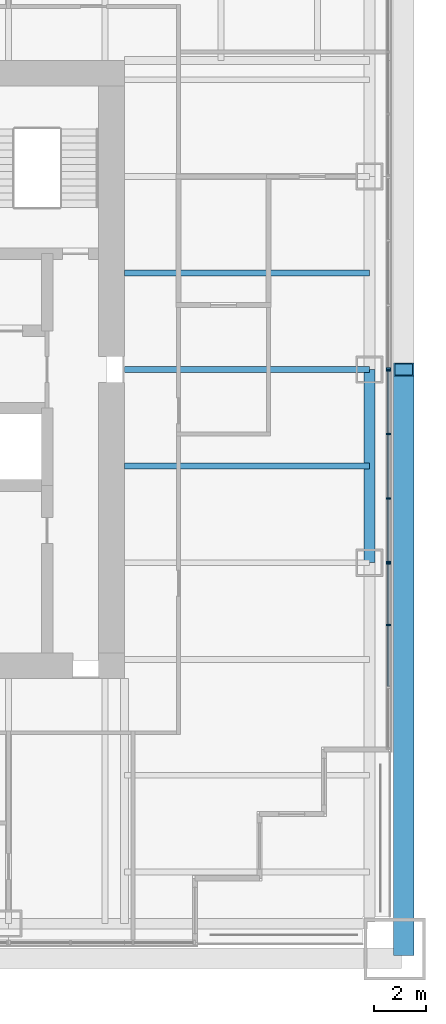
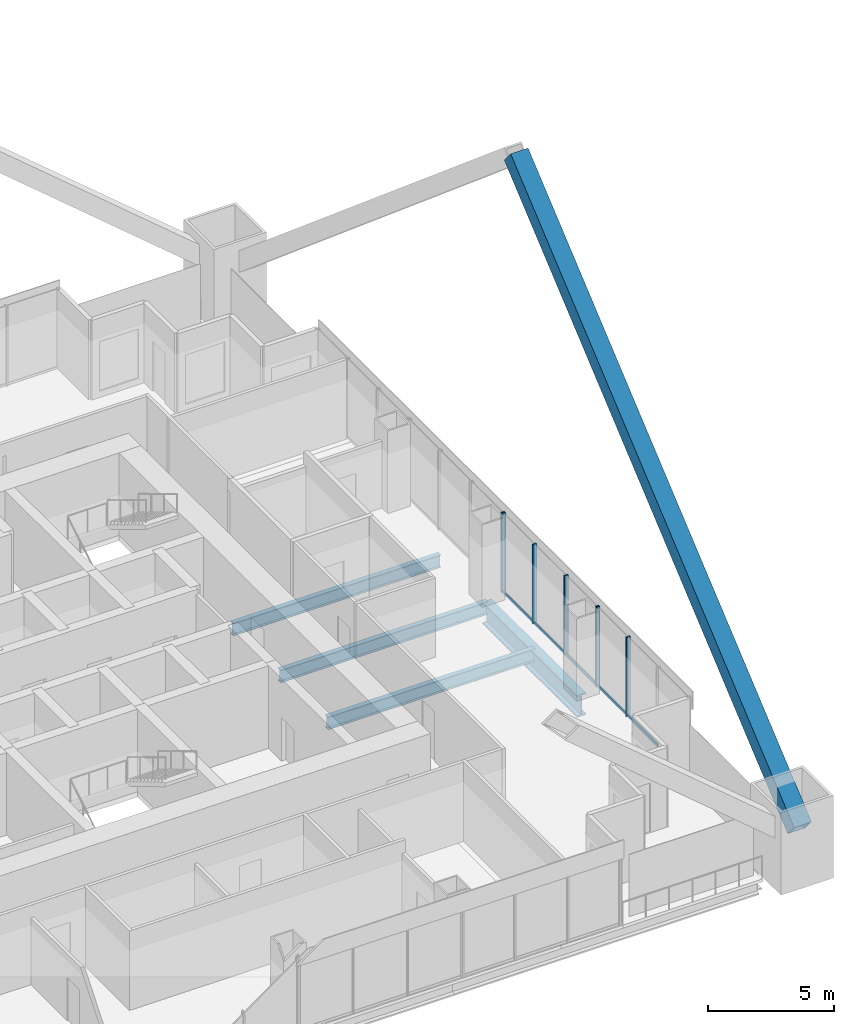
# One storey, part 7 of 19: 13 members, 4 beams, 3 elements without a shape of their own.
"""IFC4 building model written with IfcOpenShell, lengths in metres."""

from ifc_helpers import new_model, si_unit, direction, frame, origin, origin_2d, place, context, subcontext, project, spatial, rectangle, hollow_rectangle, i_section, extrude, material, material_profile, profile_set, type_object, element, aggregate, save


model = new_model("IFC4")

# Units and contexts
model_context = context("Model", 3, precision=1e-05, world=origin(), true_north=direction((0.0, 1.0)))
body_context = subcontext(model_context, "Body", "Model", "MODEL_VIEW")
ifc_project = project(units=[si_unit("LENGTHUNIT", "METRE"), si_unit("AREAUNIT", "SQUARE_METRE"), si_unit("VOLUMEUNIT", "CUBIC_METRE"), si_unit("PLANEANGLEUNIT", "RADIAN"), si_unit("MASSUNIT", "GRAM", prefix="KILO")], contexts=[model_context])

# Site, building, storey
site_placement = place(None, origin())
site = spatial("IfcSite", under=ifc_project, at=site_placement, CompositionType="ELEMENT")
building_placement = place(site_placement, origin())
building = spatial("IfcBuilding", under=site, at=building_placement, Name="Tarangal Relay Tower", CompositionType="ELEMENT")
storey_placement = place(building_placement, frame((0.0, 0.0, 213.89990234375)))
storey = spatial("IfcBuildingStorey", under=building, at=storey_placement, Name="L45", CompositionType="ELEMENT", Elevation=213.89990234375)

# Beams
ifc_material_1 = material(Name="Steel ASTM A992", Category="steel")
ifc_material_profile_1 = material_profile(ifc_material_1, i_section(OverallWidth=0.41650390625, OverallDepth=1.0693359375, WebThickness=0.0390625, FlangeThickness=0.070068359375, at=origin_2d()), Name="W40X503")
ifc_profile_set_1 = profile_set([ifc_material_profile_1], Name="Steel ASTM A992")
beam_type_1 = type_object("IfcBeamType", Name="Edge girder W40X503", PredefinedType="SPANDREL", material=ifc_profile_set_1)
beam_placement = place(storey_placement, frame((21.514892578125, 0.0, -0.6845703125), z_axis=(0.0, -1.0, 0.0), x_axis=(1.0, 0.0, 0.0)))
element("IfcBeam", 1, at=beam_placement, inside=storey, type_object=beam_type_1, Name="Edge girder EG8 E L45", PredefinedType="SPANDREL", context=body_context, shape_type="SweptSolid", body=[
    extrude(i_section(OverallWidth=0.41650390625, OverallDepth=1.0693359375, WebThickness=0.0390625, FlangeThickness=0.070068359375, at=origin_2d()), origin(), (0.0, 0.0, 1.0), 7.5),
])
ifc_material_profile_2 = material_profile(ifc_material_1, i_section(OverallWidth=0.22900390625, OverallDepth=0.612060546875, WebThickness=0.011962890625, FlangeThickness=0.01953125, at=origin_2d()), Name="W24X84")
ifc_profile_set_2 = profile_set([ifc_material_profile_2], Name="Steel ASTM A992")
beam_type_2 = type_object("IfcBeamType", Name="Floor beam W24X84", PredefinedType="BEAM", material=ifc_profile_set_2)
for number, where, z_axis, x_axis, name in (
    (2, (12.0, 3.75, -0.455810546875), (1.0, 0.0, 0.0), (0.0, 1.0, 0.0), "Floor beam RB12 E L45"),
    (3, (12.0, 0.0, -0.455810546875), (1.0, 0.0, 0.0), (0.0, 1.0, 0.0), "Floor beam RB12 E L45"),
    (4, (12.0, -3.75, -0.455810546875), (1.0, 0.0, 0.0), (0.0, 1.0, 0.0), "Floor beam RB12 E L45"),
):
    element("IfcBeam", number, at=place(storey_placement, frame(where, z_axis=z_axis, x_axis=x_axis)), inside=storey, type_object=beam_type_2, Name=name, PredefinedType="BEAM", context=body_context, shape_type="SweptSolid", body=[
        extrude(i_section(OverallWidth=0.22900390625, OverallDepth=0.612060546875, WebThickness=0.011962890625, FlangeThickness=0.01953125, at=origin_2d()), origin(), (0.0, 0.0, 1.0), 9.514892578125),
    ])

# Member
ifc_material_2 = material(Name="Steel ASTM A572 Grade 50", Category="steel")
ifc_material_profile_3 = material_profile(ifc_material_2, hollow_rectangle(XDim=0.800048828125, YDim=0.800048828125, WallThickness=0.06494140625, at=origin_2d()), Name="BOX800X800X65")
ifc_profile_set_3 = profile_set([ifc_material_profile_3], Name="Steel ASTM A572 Grade 50")
member_type_1 = type_object("IfcMemberType", Name="Mega brace BOX800X800X65", PredefinedType="BRACE", material=ifc_profile_set_3)
member_1_placement = place(storey_placement, frame((22.85009765625, -22.5, 2.0), z_axis=(0.0, 0.764029915847, 0.645180817826), x_axis=(-1.0, 0.0, 0.0)))
element("IfcMember", 5, at=member_1_placement, inside=storey, type_object=member_type_1, Name="Mega brace MB3 E face module 2", PredefinedType="BRACE", context=body_context, shape_type="SweptSolid", body=[
    extrude(hollow_rectangle(XDim=0.800048828125, YDim=0.800048828125, WallThickness=0.06494140625, at=origin_2d()), origin(), (0.0, 0.0, 1.0), 29.44921875),
])

# Curtain wall, member
ifc_material_3 = material(Name="Unitised curtain wall, dark glass and black aluminium", Category="aluminium")
curtain_wall_type = type_object("IfcCurtainWallType", Name="Curtain wall CW-A", PredefinedType="USERDEFINED", material=ifc_material_3)
curtain_wall_1_placement = place(storey_placement, origin())
curtain_wall_1 = element("IfcCurtainWall", 6, at=curtain_wall_1_placement, inside=storey, type_object=curtain_wall_type, Name="Curtain wall CW-A E facade L45", ObjectType="UNITISED CURTAIN WALL", PredefinedType="USERDEFINED")
ifc_material_4 = material(Name="Black anodised aluminium mullion", Category="aluminium")
ifc_material_profile_4 = material_profile(ifc_material_4, rectangle(XDim=0.175048828125, YDim=0.06494140625, at=origin_2d()), Name="CW-AM 65X175")
ifc_profile_set_4 = profile_set([ifc_material_profile_4], Name="Black anodised aluminium mullion")
member_type_2 = type_object("IfcMemberType", Name="Mullion CW-A 65 x 175", PredefinedType="MULLION", material=ifc_profile_set_4)
member_2_placement = place(storey_placement, frame((22.25, 0.032470703125, 0.0), z_axis=(0.0, 0.0, 1.0), x_axis=(1.0, 0.0, 0.0)))
member_2 = element("IfcMember", 7, at=member_2_placement, type_object=member_type_2, Name="CW-A mullion 4", PredefinedType="MULLION", context=body_context, shape_type="SweptSolid", body=[
    extrude(rectangle(XDim=0.175048828125, YDim=0.06494140625, at=origin_2d()), origin(), (0.0, 0.0, 1.0), 3.85009765625),
])
aggregate(curtain_wall_1, [member_2])

# Curtain wall, members
curtain_wall_2_placement = place(storey_placement, origin())
curtain_wall_2 = element("IfcCurtainWall", 8, at=curtain_wall_2_placement, inside=storey, type_object=curtain_wall_type, Name="Curtain wall CW-A E facade L45", ObjectType="UNITISED CURTAIN WALL", PredefinedType="USERDEFINED")
member_3_placement = place(storey_placement, frame((22.25, -0.032470703125, 0.0), z_axis=(0.0, 0.0, 1.0), x_axis=(1.0, 0.0, 0.0)))
member_3 = element("IfcMember", 9, at=member_3_placement, type_object=member_type_2, Name="CW-A mullion 1", PredefinedType="MULLION", context=body_context, shape_type="SweptSolid", body=[
    extrude(rectangle(XDim=0.175048828125, YDim=0.06494140625, at=origin_2d()), origin(), (0.0, 0.0, 1.0), 3.85009765625),
])
member_4_placement = place(storey_placement, frame((22.25, -2.5, 0.0), z_axis=(0.0, 0.0, 1.0), x_axis=(1.0, 0.0, 0.0)))
member_4 = element("IfcMember", 10, at=member_4_placement, type_object=member_type_2, Name="CW-A mullion 2", PredefinedType="MULLION", context=body_context, shape_type="SweptSolid", body=[
    extrude(rectangle(XDim=0.175048828125, YDim=0.06494140625, at=origin_2d()), origin(), (0.0, 0.0, 1.0), 3.85009765625),
])
member_5_placement = place(storey_placement, frame((22.25, -5.0, 0.0), z_axis=(0.0, 0.0, 1.0), x_axis=(1.0, 0.0, 0.0)))
member_5 = element("IfcMember", 11, at=member_5_placement, type_object=member_type_2, Name="CW-A mullion 3", PredefinedType="MULLION", context=body_context, shape_type="SweptSolid", body=[
    extrude(rectangle(XDim=0.175048828125, YDim=0.06494140625, at=origin_2d()), origin(), (0.0, 0.0, 1.0), 3.85009765625),
])
member_6_placement = place(storey_placement, frame((22.25, -7.467529296875, 0.0), z_axis=(0.0, 0.0, 1.0), x_axis=(1.0, 0.0, 0.0)))
member_6 = element("IfcMember", 12, at=member_6_placement, type_object=member_type_2, Name="CW-A mullion 4", PredefinedType="MULLION", context=body_context, shape_type="SweptSolid", body=[
    extrude(rectangle(XDim=0.175048828125, YDim=0.06494140625, at=origin_2d()), origin(), (0.0, 0.0, 1.0), 3.85009765625),
])

curtain_wall_3_placement = place(storey_placement, origin())
curtain_wall_3 = element("IfcCurtainWall", 13, at=curtain_wall_3_placement, inside=storey, type_object=curtain_wall_type, Name="Curtain wall CW-A E facade L45", ObjectType="UNITISED CURTAIN WALL", PredefinedType="USERDEFINED")
member_7_placement = place(storey_placement, frame((22.25, -7.532470703125, 0.0), z_axis=(0.0, 0.0, 1.0), x_axis=(1.0, 0.0, 0.0)))
member_7 = element("IfcMember", 14, at=member_7_placement, type_object=member_type_2, Name="CW-A mullion 1", PredefinedType="MULLION", context=body_context, shape_type="SweptSolid", body=[
    extrude(rectangle(XDim=0.175048828125, YDim=0.06494140625, at=origin_2d()), origin(), (0.0, 0.0, 1.0), 3.85009765625),
])
member_8_placement = place(storey_placement, frame((22.25, -9.916748046875, 0.0), z_axis=(0.0, 0.0, 1.0), x_axis=(1.0, 0.0, 0.0)))
member_8 = element("IfcMember", 15, at=member_8_placement, type_object=member_type_2, Name="CW-A mullion 2", PredefinedType="MULLION", context=body_context, shape_type="SweptSolid", body=[
    extrude(rectangle(XDim=0.175048828125, YDim=0.06494140625, at=origin_2d()), origin(), (0.0, 0.0, 1.0), 3.85009765625),
])

# Member
ifc_material_5 = material(Name="Black anodised aluminium transom", Category="aluminium")
ifc_material_profile_5 = material_profile(ifc_material_5, rectangle(XDim=0.06494140625, YDim=0.14990234375, at=origin_2d()), Name="CW-AT 65X150")
ifc_profile_set_5 = profile_set([ifc_material_profile_5], Name="Black anodised aluminium transom")
member_type_3 = type_object("IfcMemberType", Name="Transom CW-A 65 x 150", PredefinedType="USERDEFINED", material=ifc_profile_set_5)
member_9_placement = place(storey_placement, frame((22.25, -0.06494140625, 0.03271484375), z_axis=(0.0, -1.0, 0.0), x_axis=(1.0, 0.0, 0.0)))
member_9 = element("IfcMember", 16, at=member_9_placement, type_object=member_type_3, Name="CW-A transom 1.1", ObjectType="TRANSOM", PredefinedType="USERDEFINED", context=body_context, shape_type="SweptSolid", body=[
    extrude(rectangle(XDim=0.06494140625, YDim=0.14990234375, at=origin_2d()), origin(), (0.0, 0.0, 1.0), 2.402587890625),
])

member_10_placement = place(storey_placement, frame((22.25, -2.532470703125, 0.03271484375), z_axis=(0.0, -1.0, 0.0), x_axis=(1.0, 0.0, 0.0)))
member_10 = element("IfcMember", 17, at=member_10_placement, type_object=member_type_3, Name="CW-A transom 2.1", ObjectType="TRANSOM", PredefinedType="USERDEFINED", context=body_context, shape_type="SweptSolid", body=[
    extrude(rectangle(XDim=0.06494140625, YDim=0.14990234375, at=origin_2d()), origin(), (0.0, 0.0, 1.0), 2.43505859375),
])

member_11_placement = place(storey_placement, frame((22.25, -5.032470703125, 0.03271484375), z_axis=(0.0, -1.0, 0.0), x_axis=(1.0, 0.0, 0.0)))
member_11 = element("IfcMember", 18, at=member_11_placement, type_object=member_type_3, Name="CW-A transom 3.1", ObjectType="TRANSOM", PredefinedType="USERDEFINED", context=body_context, shape_type="SweptSolid", body=[
    extrude(rectangle(XDim=0.06494140625, YDim=0.14990234375, at=origin_2d()), origin(), (0.0, 0.0, 1.0), 2.402587890625),
])

aggregate(curtain_wall_2, [member_3, member_4, member_5, member_6, member_9, member_10, member_11])

member_12_placement = place(storey_placement, frame((22.25, -7.56494140625, 0.03271484375), z_axis=(0.0, -1.0, 0.0), x_axis=(1.0, 0.0, 0.0)))
member_12 = element("IfcMember", 19, at=member_12_placement, type_object=member_type_3, Name="CW-A transom 1.1", ObjectType="TRANSOM", PredefinedType="USERDEFINED", context=body_context, shape_type="SweptSolid", body=[
    extrude(rectangle(XDim=0.06494140625, YDim=0.14990234375, at=origin_2d()), origin(), (0.0, 0.0, 1.0), 2.3193359375),
])

member_13_placement = place(storey_placement, frame((22.25, -9.94921875, 0.03271484375), z_axis=(0.0, -1.0, 0.0), x_axis=(1.0, 0.0, 0.0)))
member_13 = element("IfcMember", 20, at=member_13_placement, type_object=member_type_3, Name="CW-A transom 2.1", ObjectType="TRANSOM", PredefinedType="USERDEFINED", context=body_context, shape_type="SweptSolid", body=[
    extrude(rectangle(XDim=0.06494140625, YDim=0.14990234375, at=origin_2d()), origin(), (0.0, 0.0, 1.0), 2.3515625),
])

aggregate(curtain_wall_3, [member_7, member_8, member_12, member_13])

save(model, "model.ifc")
